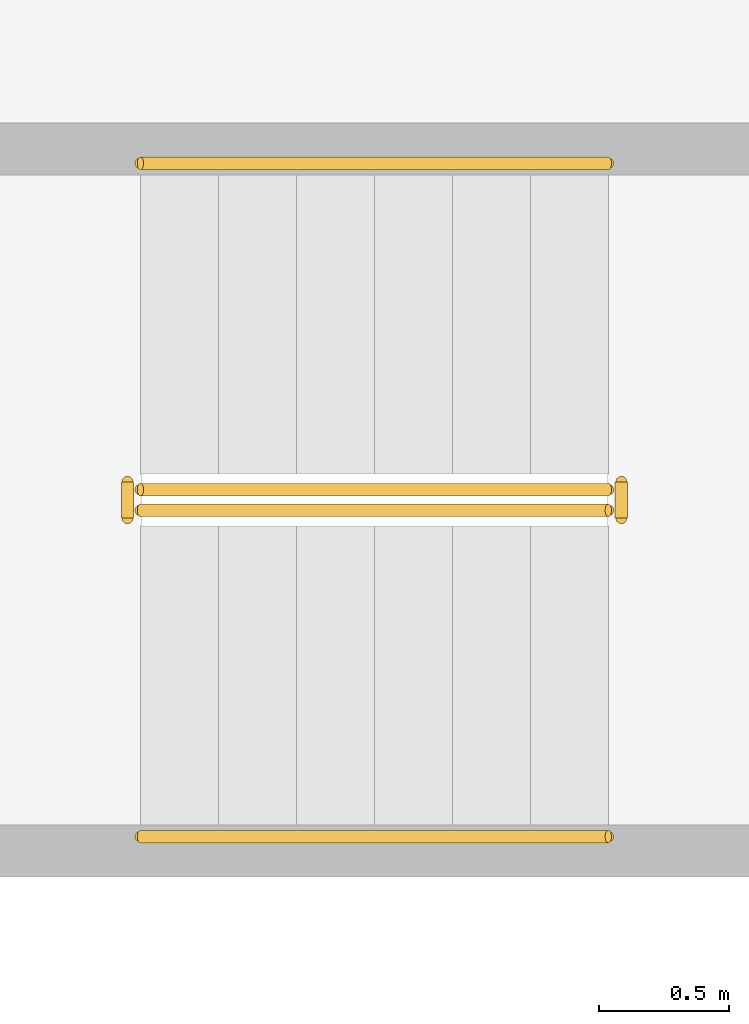
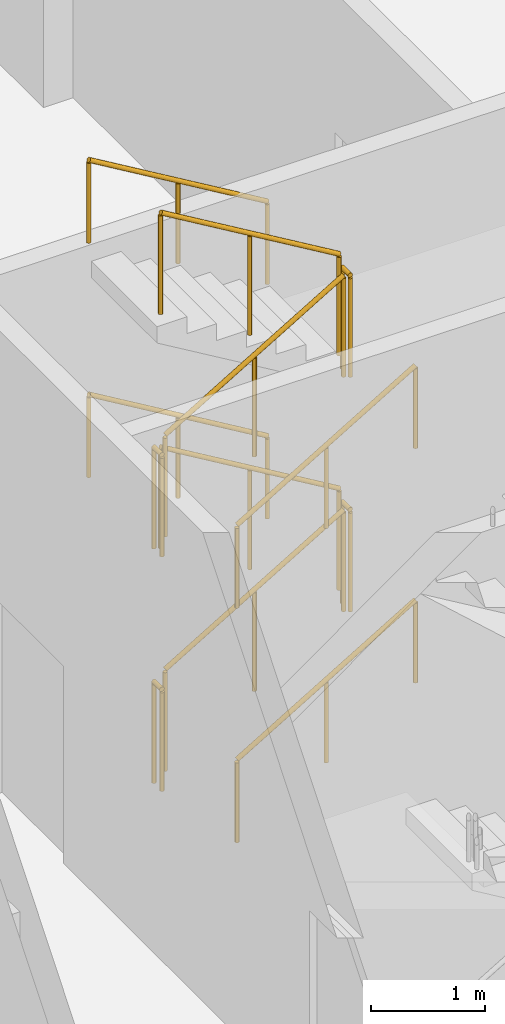
# One storey, part 88 of 101: 12 railings.
"""IFC4 building model written with IfcOpenShell, lengths in metres."""

from ifc_helpers import new_model, si_unit, direction, frame, origin, origin_2d, place, context, subcontext, project, spatial, circle, extrude, material, type_object, element, save


model = new_model("IFC4")

# Units and contexts
model_context = context("Model", 3, precision=1e-05, world=origin(), true_north=direction((0.0, 1.0)))
body_context = subcontext(model_context, "Body", "Model", "MODEL_VIEW")
ifc_project = project(units=[si_unit("LENGTHUNIT", "METRE"), si_unit("AREAUNIT", "SQUARE_METRE"), si_unit("VOLUMEUNIT", "CUBIC_METRE"), si_unit("PLANEANGLEUNIT", "RADIAN"), si_unit("MASSUNIT", "GRAM", prefix="KILO")], contexts=[model_context])

# Site, building, storey
site_placement = place(None, origin())
site = spatial("IfcSite", under=ifc_project, at=site_placement, CompositionType="ELEMENT")
building_placement = place(site_placement, origin())
building = spatial("IfcBuilding", under=site, at=building_placement, Name="Almond Square Museum", CompositionType="ELEMENT")
storey_placement = place(building_placement, frame((0.0, 0.0, 5.5)))
storey = spatial("IfcBuildingStorey", under=building, at=storey_placement, Name="L01", CompositionType="ELEMENT", Elevation=5.5)

# Railings
ifc_material_1 = material(Name="Stainless steel and laminated glass", Category="steel")
railing_type_1 = type_object("IfcRailingType", Name="Stair guard 1100 steel and glass", PredefinedType="GUARDRAIL", material=ifc_material_1)
railing_1_placement = place(storey_placement, frame((102.14990234375, 74.110107421875, 0.178466796875)))
element("IfcRailing", 1, at=railing_1_placement, inside=storey, type_object=railing_type_1, Name="L01 ST-12 stair guard 1", PredefinedType="GUARDRAIL", context=body_context, shape_type="SweptSolid", body=[
    extrude(circle(Radius=0.02392578125, at=origin_2d()), frame((0.0, 0.0, 1.076171875), z_axis=(0.859277029364, 0.0, 0.511510495305), x_axis=(0.0, 1.0, 0.0)), (0.0, 0.0, 1.0), 2.0947265625),
    extrude(circle(Radius=0.02099609375, at=origin_2d()), origin(), (0.0, 0.0, 1.0), 1.052001953125),
    extrude(circle(Radius=0.02099609375, at=origin_2d()), frame((0.89990234375, 0.0, 0.53564453125)), (0.0, 0.0, 1.0), 1.052001953125),
    extrude(circle(Radius=0.02099609375, at=origin_2d()), frame((1.800048828125, 0.0, 1.071533203125)), (0.0, 0.0, 1.0), 1.052001953125),
])
railing_2_placement = place(storey_placement, frame((104.0, 74.080078125, 1.25)))
element("IfcRailing", 2, at=railing_2_placement, inside=storey, type_object=railing_type_1, Name="L01 ST-12 stair guard 2", PredefinedType="GUARDRAIL", context=body_context, shape_type="SweptSolid", body=[
    extrude(circle(Radius=0.02392578125, at=origin_2d()), frame((0.0, 0.0, 1.076171875), z_axis=(0.0, 1.0, 0.0), x_axis=(-1.0, 0.0, 0.0)), (0.0, 0.0, 1.0), 0.139892578125),
    extrude(circle(Radius=0.02099609375, at=origin_2d()), origin(), (0.0, 0.0, 1.0), 1.052001953125),
    extrude(circle(Radius=0.02099609375, at=origin_2d()), frame((0.0, 0.139892578125, 0.0)), (0.0, 0.0, 1.0), 1.052001953125),
])
railing_3_placement = place(storey_placement, frame((103.949951171875, 74.18994140625, 1.428466796875)))
element("IfcRailing", 3, at=railing_3_placement, inside=storey, type_object=railing_type_1, Name="L01 ST-12 stair guard 3", PredefinedType="GUARDRAIL", context=body_context, shape_type="SweptSolid", body=[
    extrude(circle(Radius=0.02392578125, at=origin_2d()), frame((0.0, 0.0, 1.076171875), z_axis=(-0.859277029364, 0.0, 0.511510495305), x_axis=(0.0, -1.0, 0.0)), (0.0, 0.0, 1.0), 2.0947265625),
    extrude(circle(Radius=0.02099609375, at=origin_2d()), origin(), (0.0, 0.0, 1.0), 1.052001953125),
    extrude(circle(Radius=0.02099609375, at=origin_2d()), frame((-0.89990234375, 0.0, 0.53564453125)), (0.0, 0.0, 1.0), 1.052001953125),
    extrude(circle(Radius=0.02099609375, at=origin_2d()), frame((-1.800048828125, 0.0, 1.071533203125)), (0.0, 0.0, 1.0), 1.052001953125),
])
railing_4_placement = place(storey_placement, frame((102.10009765625, 74.080078125, 2.5)))
element("IfcRailing", 4, at=railing_4_placement, inside=storey, type_object=railing_type_1, Name="L01 ST-12 stair guard 4", PredefinedType="GUARDRAIL", context=body_context, shape_type="SweptSolid", body=[
    extrude(circle(Radius=0.02392578125, at=origin_2d()), frame((0.0, 0.0, 1.076171875), z_axis=(0.0, 1.0, 0.0), x_axis=(-1.0, 0.0, 0.0)), (0.0, 0.0, 1.0), 0.139892578125),
    extrude(circle(Radius=0.02099609375, at=origin_2d()), origin(), (0.0, 0.0, 1.0), 1.052001953125),
    extrude(circle(Radius=0.02099609375, at=origin_2d()), frame((0.0, 0.139892578125, 0.0)), (0.0, 0.0, 1.0), 1.052001953125),
])
railing_5_placement = place(storey_placement, frame((102.14990234375, 74.110107421875, 2.678466796875)))
element("IfcRailing", 5, at=railing_5_placement, inside=storey, type_object=railing_type_1, Name="L01 ST-12 stair guard 5", PredefinedType="GUARDRAIL", context=body_context, shape_type="SweptSolid", body=[
    extrude(circle(Radius=0.02392578125, at=origin_2d()), frame((0.0, 0.0, 1.076171875), z_axis=(0.859277029364, 0.0, 0.511510495305), x_axis=(0.0, 1.0, 0.0)), (0.0, 0.0, 1.0), 2.0947265625),
    extrude(circle(Radius=0.02099609375, at=origin_2d()), origin(), (0.0, 0.0, 1.0), 1.052001953125),
    extrude(circle(Radius=0.02099609375, at=origin_2d()), frame((0.89990234375, 0.0, 0.53564453125)), (0.0, 0.0, 1.0), 1.052001953125),
    extrude(circle(Radius=0.02099609375, at=origin_2d()), frame((1.800048828125, 0.0, 1.071533203125)), (0.0, 0.0, 1.0), 1.052001953125),
])
railing_6_placement = place(storey_placement, frame((104.0, 74.080078125, 3.75)))
element("IfcRailing", 6, at=railing_6_placement, inside=storey, type_object=railing_type_1, Name="L01 ST-12 stair guard 6", PredefinedType="GUARDRAIL", context=body_context, shape_type="SweptSolid", body=[
    extrude(circle(Radius=0.02392578125, at=origin_2d()), frame((0.0, 0.0, 1.076171875), z_axis=(0.0, 1.0, 0.0), x_axis=(-1.0, 0.0, 0.0)), (0.0, 0.0, 1.0), 0.139892578125),
    extrude(circle(Radius=0.02099609375, at=origin_2d()), origin(), (0.0, 0.0, 1.0), 1.052001953125),
    extrude(circle(Radius=0.02099609375, at=origin_2d()), frame((0.0, 0.139892578125, 0.0)), (0.0, 0.0, 1.0), 1.052001953125),
])
railing_7_placement = place(storey_placement, frame((103.949951171875, 74.18994140625, 3.928466796875)))
element("IfcRailing", 7, at=railing_7_placement, inside=storey, type_object=railing_type_1, Name="L01 ST-12 stair guard 7", PredefinedType="GUARDRAIL", context=body_context, shape_type="SweptSolid", body=[
    extrude(circle(Radius=0.02392578125, at=origin_2d()), frame((0.0, 0.0, 1.076171875), z_axis=(-0.859277029364, 0.0, 0.511510495305), x_axis=(0.0, -1.0, 0.0)), (0.0, 0.0, 1.0), 2.0947265625),
    extrude(circle(Radius=0.02099609375, at=origin_2d()), origin(), (0.0, 0.0, 1.0), 1.052001953125),
    extrude(circle(Radius=0.02099609375, at=origin_2d()), frame((-0.89990234375, 0.0, 0.53564453125)), (0.0, 0.0, 1.0), 1.052001953125),
    extrude(circle(Radius=0.02099609375, at=origin_2d()), frame((-1.800048828125, 0.0, 1.071533203125)), (0.0, 0.0, 1.0), 1.052001953125),
])
railing_8_placement = place(storey_placement, frame((102.10009765625, 74.080078125, 0.0)))
element("IfcRailing", 8, at=railing_8_placement, inside=storey, type_object=railing_type_1, Name="L01 ST-12 stair guard 8", PredefinedType="GUARDRAIL", context=body_context, shape_type="SweptSolid", body=[
    extrude(circle(Radius=0.02392578125, at=origin_2d()), frame((0.0, 0.0, 1.076171875), z_axis=(0.0, 1.0, 0.0), x_axis=(-1.0, 0.0, 0.0)), (0.0, 0.0, 1.0), 0.139892578125),
    extrude(circle(Radius=0.02099609375, at=origin_2d()), origin(), (0.0, 0.0, 1.0), 1.052001953125),
    extrude(circle(Radius=0.02099609375, at=origin_2d()), frame((0.0, 0.139892578125, 0.0)), (0.0, 0.0, 1.0), 1.052001953125),
])
ifc_material_2 = material(Name="Stainless steel", Category="steel")
railing_type_2 = type_object("IfcRailingType", Name="Stair handrail 900 steel", PredefinedType="HANDRAIL", material=ifc_material_2)
railing_9_placement = place(storey_placement, frame((102.14990234375, 72.85498046875, 0.178466796875)))
element("IfcRailing", 9, at=railing_9_placement, inside=storey, type_object=railing_type_2, Name="L01 ST-12 stair handrail 1", PredefinedType="HANDRAIL", context=body_context, shape_type="SweptSolid", body=[
    extrude(circle(Radius=0.02392578125, at=origin_2d()), frame((0.0, 0.0, 0.8759765625), z_axis=(0.859277029364, 0.0, 0.511510495305), x_axis=(0.0, 1.0, 0.0)), (0.0, 0.0, 1.0), 2.0947265625),
    extrude(circle(Radius=0.02099609375, at=origin_2d()), origin(), (0.0, 0.0, 1.0), 0.851806640625),
    extrude(circle(Radius=0.02099609375, at=origin_2d()), frame((0.89990234375, 0.0, 0.53564453125)), (0.0, 0.0, 1.0), 0.851806640625),
    extrude(circle(Radius=0.02099609375, at=origin_2d()), frame((1.800048828125, 0.0, 1.071533203125)), (0.0, 0.0, 1.0), 0.851806640625),
])
railing_10_placement = place(storey_placement, frame((103.949951171875, 75.445068359375, 1.428466796875)))
element("IfcRailing", 10, at=railing_10_placement, inside=storey, type_object=railing_type_2, Name="L01 ST-12 stair handrail 2", PredefinedType="HANDRAIL", context=body_context, shape_type="SweptSolid", body=[
    extrude(circle(Radius=0.02392578125, at=origin_2d()), frame((0.0, 0.0, 0.8759765625), z_axis=(-0.859277029364, 0.0, 0.511510495305), x_axis=(0.0, -1.0, 0.0)), (0.0, 0.0, 1.0), 2.0947265625),
    extrude(circle(Radius=0.02099609375, at=origin_2d()), origin(), (0.0, 0.0, 1.0), 0.851806640625),
    extrude(circle(Radius=0.02099609375, at=origin_2d()), frame((-0.89990234375, 0.0, 0.53564453125)), (0.0, 0.0, 1.0), 0.851806640625),
    extrude(circle(Radius=0.02099609375, at=origin_2d()), frame((-1.800048828125, 0.0, 1.071533203125)), (0.0, 0.0, 1.0), 0.851806640625),
])
railing_11_placement = place(storey_placement, frame((102.14990234375, 72.85498046875, 2.678466796875)))
element("IfcRailing", 11, at=railing_11_placement, inside=storey, type_object=railing_type_2, Name="L01 ST-12 stair handrail 3", PredefinedType="HANDRAIL", context=body_context, shape_type="SweptSolid", body=[
    extrude(circle(Radius=0.02392578125, at=origin_2d()), frame((0.0, 0.0, 0.8759765625), z_axis=(0.859277029364, 0.0, 0.511510495305), x_axis=(0.0, 1.0, 0.0)), (0.0, 0.0, 1.0), 2.0947265625),
    extrude(circle(Radius=0.02099609375, at=origin_2d()), origin(), (0.0, 0.0, 1.0), 0.851806640625),
    extrude(circle(Radius=0.02099609375, at=origin_2d()), frame((0.89990234375, 0.0, 0.53564453125)), (0.0, 0.0, 1.0), 0.851806640625),
    extrude(circle(Radius=0.02099609375, at=origin_2d()), frame((1.800048828125, 0.0, 1.071533203125)), (0.0, 0.0, 1.0), 0.851806640625),
])
railing_12_placement = place(storey_placement, frame((103.949951171875, 75.445068359375, 3.928466796875)))
element("IfcRailing", 12, at=railing_12_placement, inside=storey, type_object=railing_type_2, Name="L01 ST-12 stair handrail 4", PredefinedType="HANDRAIL", context=body_context, shape_type="SweptSolid", body=[
    extrude(circle(Radius=0.02392578125, at=origin_2d()), frame((0.0, 0.0, 0.8759765625), z_axis=(-0.859277029364, 0.0, 0.511510495305), x_axis=(0.0, -1.0, 0.0)), (0.0, 0.0, 1.0), 2.0947265625),
    extrude(circle(Radius=0.02099609375, at=origin_2d()), origin(), (0.0, 0.0, 1.0), 0.851806640625),
    extrude(circle(Radius=0.02099609375, at=origin_2d()), frame((-0.89990234375, 0.0, 0.53564453125)), (0.0, 0.0, 1.0), 0.851806640625),
    extrude(circle(Radius=0.02099609375, at=origin_2d()), frame((-1.800048828125, 0.0, 1.071533203125)), (0.0, 0.0, 1.0), 0.851806640625),
])

save(model, "model.ifc")
